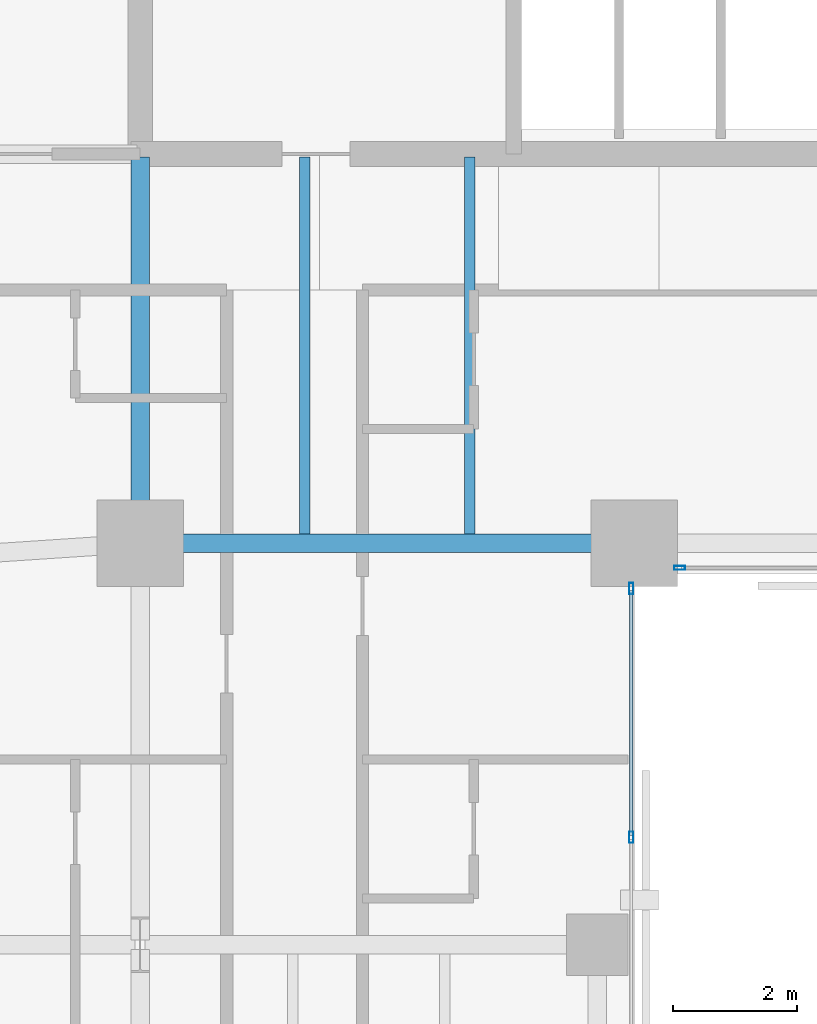
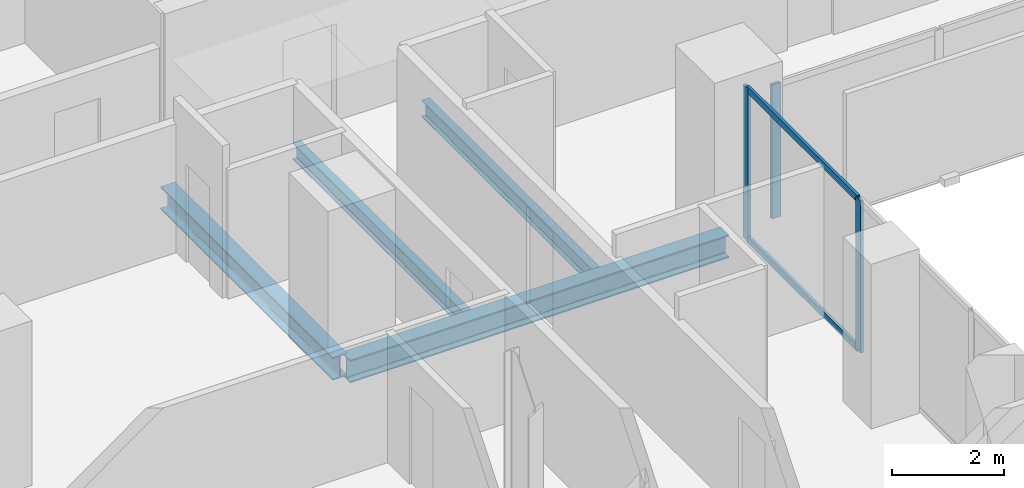
# One storey, part 12 of 31: 5 members, 4 beams, 2 elements without a shape of their own.
"""IFC4 building model written with IfcOpenShell, lengths in metres."""

from ifc_helpers import new_model, si_unit, direction, frame, origin, origin_2d, place, context, subcontext, project, spatial, hollow_rectangle, i_section, extrude, material, layer, layer_set, material_profile, profile_set, type_object, element, aggregate, save


model = new_model("IFC4")

# Units and contexts
model_context = context("Model", 3, precision=1e-05, world=origin(), true_north=direction((0.0, 1.0)))
body_context = subcontext(model_context, "Body", "Model", "MODEL_VIEW")
ifc_project = project(units=[si_unit("LENGTHUNIT", "METRE"), si_unit("AREAUNIT", "SQUARE_METRE"), si_unit("VOLUMEUNIT", "CUBIC_METRE"), si_unit("PLANEANGLEUNIT", "RADIAN"), si_unit("MASSUNIT", "GRAM", prefix="KILO")], contexts=[model_context])

# Site, building, storey
site_placement = place(None, origin())
site = spatial("IfcSite", under=ifc_project, at=site_placement, CompositionType="ELEMENT")
building_placement = place(site_placement, origin())
building = spatial("IfcBuilding", under=site, at=building_placement, Name="Catumbela Crestline Tower", CompositionType="ELEMENT")
storey_placement = place(building_placement, frame((0.0, 0.0, 40.2)))
storey = spatial("IfcBuildingStorey", under=building, at=storey_placement, Name="L09", CompositionType="ELEMENT", Elevation=40.2)

# Beams
ifc_material_1 = material(Name="Structural steel S355J2", Category="steel")
ifc_material_profile_1 = material_profile(ifc_material_1, i_section(OverallWidth=0.3, OverallDepth=0.5, WebThickness=0.0145, FlangeThickness=0.028, FilletRadius=0.027, at=origin_2d()), Name="HEB 500")
ifc_profile_set_1 = profile_set([ifc_material_profile_1], Name="Structural steel S355J2")
beam_type_1 = type_object("IfcBeamType", Name="BG-HEB500", PredefinedType="BEAM", material=ifc_profile_set_1)
beam_1_placement = place(storey_placement, frame((16.08, 24.5, -0.51), z_axis=(1.0, 0.0, 0.0), x_axis=(0.0, 1.0, 0.0)))
element("IfcBeam", 1, at=beam_1_placement, inside=storey, type_object=beam_type_1, Name="L09 Beam BM-L09-S04", PredefinedType="BEAM", context=body_context, shape_type="SweptSolid", body=[
    extrude(i_section(OverallWidth=0.3, OverallDepth=0.5, WebThickness=0.0145, FlangeThickness=0.028, FilletRadius=0.027, at=origin_2d()), origin(), (0.0, 0.0, 1.0), 7.84),
])
beam_2_placement = place(storey_placement, frame((16.0, 24.58, -0.51), z_axis=(0.0, 1.0, 0.0), x_axis=(-1.0, 0.0, 0.0)))
element("IfcBeam", 2, at=beam_2_placement, inside=storey, type_object=beam_type_1, Name="L09 Beam BM-L09-SNS31", PredefinedType="BEAM", context=body_context, shape_type="SweptSolid", body=[
    extrude(i_section(OverallWidth=0.3, OverallDepth=0.5, WebThickness=0.0145, FlangeThickness=0.028, FilletRadius=0.027, at=origin_2d()), origin(), (0.0, 0.0, 1.0), 6.17),
])
ifc_material_profile_2 = material_profile(ifc_material_1, i_section(OverallWidth=0.17, OverallDepth=0.36, WebThickness=0.008, FlangeThickness=0.0127, FilletRadius=0.018, at=origin_2d()), Name="IPE 360")
ifc_profile_set_2 = profile_set([ifc_material_profile_2], Name="Structural steel S355J2")
beam_type_2 = type_object("IfcBeamType", Name="BJ-IPE360", PredefinedType="JOIST", material=ifc_profile_set_2)
for number, where, z_axis, x_axis, name in (
    (3, (18.667, 24.647, -0.44), (0.0, 1.0, 0.0), (-1.0, 0.0, 0.0), "L09 Joist JS-L09-SP42"),
    (4, (21.333, 24.647, -0.44), (0.0, 1.0, 0.0), (-1.0, 0.0, 0.0), "L09 Joist JS-L09-SP43"),
):
    element("IfcBeam", number, at=place(storey_placement, frame(where, z_axis=z_axis, x_axis=x_axis)), inside=storey, type_object=beam_type_2, Name=name, PredefinedType="JOIST", context=body_context, shape_type="SweptSolid", body=[
        extrude(i_section(OverallWidth=0.17, OverallDepth=0.36, WebThickness=0.008, FlangeThickness=0.0127, FilletRadius=0.018, at=origin_2d()), origin(), (0.0, 0.0, 1.0), 6.103),
    ])

# Curtain wall, members
ifc_material_2 = material(Name="Aluminium alloy AW-6060-T66", Category="aluminium")
ifc_layer = layer(ifc_material_2, 0.18, Name="Aluminium alloy AW-6060-T66")
ifc_layer_set = layer_set([ifc_layer], Name="Aluminium alloy AW-6060-T66")
curtain_wall_type = type_object("IfcCurtainWallType", Name="CWU-Z1", PredefinedType="USERDEFINED", material=ifc_layer_set)
curtain_wall_1_placement = place(storey_placement, origin())
curtain_wall_1 = element("IfcCurtainWall", 5, at=curtain_wall_1_placement, inside=storey, type_object=curtain_wall_type, Name="L09 Unitised Curtain Wall CW-L09-E2S1", ObjectType="UNITISED", PredefinedType="USERDEFINED")
ifc_material_profile_3 = material_profile(ifc_material_2, hollow_rectangle(XDim=0.065, YDim=0.18, WallThickness=0.004, at=origin_2d()), Name="ALU 180x65x4")
ifc_profile_set_3 = profile_set([ifc_material_profile_3], Name="Aluminium alloy AW-6060-T66")
member_type_1 = type_object("IfcMemberType", Name="MUL-180X65", PredefinedType="MULLION", material=ifc_profile_set_3)
member_1_placement = place(storey_placement, frame((23.95, 19.74, 0.0), z_axis=(0.0, 0.0, 1.0), x_axis=(-1.0, 0.0, 0.0)))
member_1 = element("IfcMember", 6, at=member_1_placement, type_object=member_type_1, Name="CWU-Z1 mullion 5", PredefinedType="MULLION", context=body_context, shape_type="SweptSolid", body=[
    extrude(hollow_rectangle(XDim=0.065, YDim=0.18, WallThickness=0.004, at=origin_2d()), origin(), (0.0, 0.0, 1.0), 3.33),
])
member_2_placement = place(storey_placement, frame((23.95, 23.7675, 0.0), z_axis=(0.0, 0.0, 1.0), x_axis=(-1.0, 0.0, 0.0)))
member_2 = element("IfcMember", 7, at=member_2_placement, type_object=member_type_1, Name="CWU-Z1 mullion 6", PredefinedType="MULLION", context=body_context, shape_type="SweptSolid", body=[
    extrude(hollow_rectangle(XDim=0.065, YDim=0.18, WallThickness=0.004, at=origin_2d()), origin(), (0.0, 0.0, 1.0), 3.33),
])

# Curtain wall, member
curtain_wall_2_placement = place(storey_placement, origin())
curtain_wall_2 = element("IfcCurtainWall", 8, at=curtain_wall_2_placement, inside=storey, type_object=curtain_wall_type, Name="L09 Unitised Curtain Wall CW-L09-E3S1", ObjectType="UNITISED", PredefinedType="USERDEFINED")
member_3_placement = place(storey_placement, frame((24.7325, 24.1, 0.0), z_axis=(0.0, 0.0, 1.0), x_axis=(0.0, 1.0, 0.0)))
member_3 = element("IfcMember", 9, at=member_3_placement, type_object=member_type_1, Name="CWU-Z1 mullion 1", PredefinedType="MULLION", context=body_context, shape_type="SweptSolid", body=[
    extrude(hollow_rectangle(XDim=0.065, YDim=0.18, WallThickness=0.004, at=origin_2d()), origin(), (0.0, 0.0, 1.0), 2.93),
])
aggregate(curtain_wall_2, [member_3])

# Member
ifc_material_profile_4 = material_profile(ifc_material_2, hollow_rectangle(XDim=0.06, YDim=0.14, WallThickness=0.004, at=origin_2d()), Name="ALU 140x60x4")
ifc_profile_set_4 = profile_set([ifc_material_profile_4], Name="Aluminium alloy AW-6060-T66")
member_type_2 = type_object("IfcMemberType", Name="TRN-140X60", PredefinedType="USERDEFINED", material=ifc_profile_set_4)
member_4_placement = place(storey_placement, frame((23.95, 19.7725, 0.03), z_axis=(0.0, 1.0, 0.0), x_axis=(-1.0, 0.0, 0.0)))
member_4 = element("IfcMember", 10, at=member_4_placement, type_object=member_type_2, Name="CWU-Z1 transom 5.1", ObjectType="TRANSOM", PredefinedType="USERDEFINED", context=body_context, shape_type="SweptSolid", body=[
    extrude(hollow_rectangle(XDim=0.06, YDim=0.14, WallThickness=0.004, at=origin_2d()), origin(), (0.0, 0.0, 1.0), 3.9625),
])

member_5_placement = place(storey_placement, frame((23.95, 19.7725, 3.3), z_axis=(0.0, 1.0, 0.0), x_axis=(-1.0, 0.0, 0.0)))
member_5 = element("IfcMember", 11, at=member_5_placement, type_object=member_type_2, Name="CWU-Z1 transom 5.2", ObjectType="TRANSOM", PredefinedType="USERDEFINED", context=body_context, shape_type="SweptSolid", body=[
    extrude(hollow_rectangle(XDim=0.06, YDim=0.14, WallThickness=0.004, at=origin_2d()), origin(), (0.0, 0.0, 1.0), 3.9625),
])

aggregate(curtain_wall_1, [member_1, member_2, member_4, member_5])

save(model, "model.ifc")
